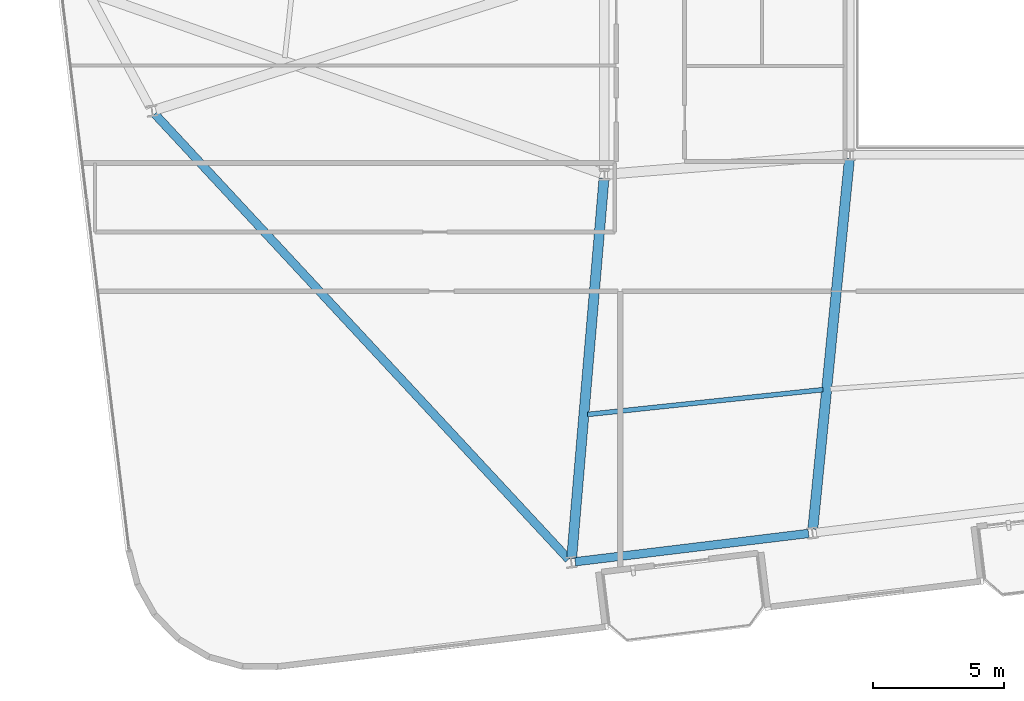
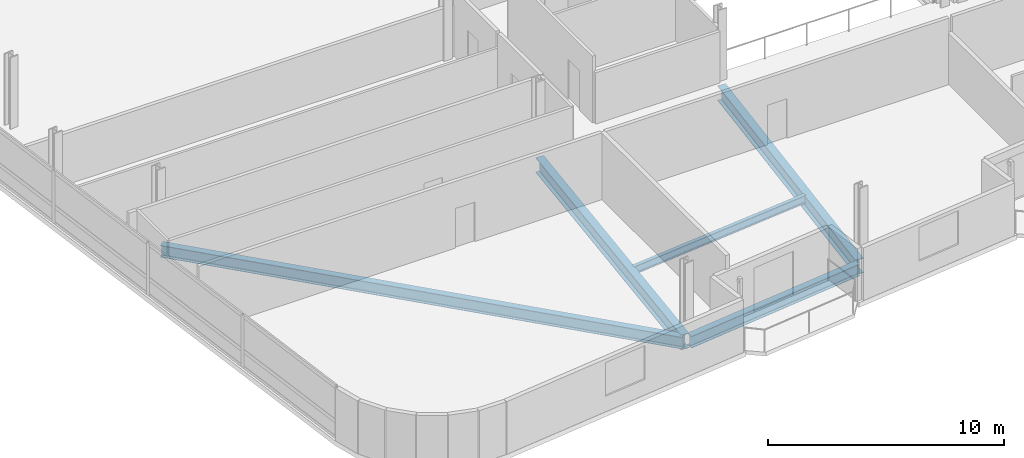
# One storey, part 3 of 22: 5 beams.
"""IFC4 building model written with IfcOpenShell, lengths in metres."""

from ifc_helpers import new_model, si_unit, direction, frame, origin, origin_2d, place, context, subcontext, project, spatial, i_section, extrude, material, material_profile, profile_set, type_object, element, save


model = new_model("IFC4")

# Units and contexts
model_context = context("Model", 3, precision=1e-05, world=origin(), true_north=direction((0.0, 1.0)))
body_context = subcontext(model_context, "Body", "Model", "MODEL_VIEW")
ifc_project = project(units=[si_unit("LENGTHUNIT", "METRE"), si_unit("AREAUNIT", "SQUARE_METRE"), si_unit("VOLUMEUNIT", "CUBIC_METRE"), si_unit("PLANEANGLEUNIT", "RADIAN"), si_unit("MASSUNIT", "GRAM", prefix="KILO")], contexts=[model_context])

# Site, building, storey
site_placement = place(None, origin())
site = spatial("IfcSite", under=ifc_project, at=site_placement, CompositionType="ELEMENT")
building_placement = place(site_placement, origin())
building = spatial("IfcBuilding", under=site, at=building_placement, Name="Varnelok Gate Tower", CompositionType="ELEMENT")
storey_placement = place(building_placement, frame((0.0, 0.0, 178.300048828125)))
storey = spatial("IfcBuildingStorey", under=building, at=storey_placement, Name="L45", CompositionType="ELEMENT", Elevation=178.300048828125)

# Beams
ifc_material = material(Name="Structural Steel ASTM A992 Grade 50", Category="steel")
ifc_material_profile_1 = material_profile(ifc_material, i_section(OverallWidth=0.180908203125, OverallDepth=0.4169921875, WebThickness=0.010986328125, FlangeThickness=0.018310546875, FilletRadius=0.013916015625, at=origin_2d()), Name="W16X57")
ifc_profile_set_1 = profile_set([ifc_material_profile_1], Name="Structural Steel ASTM A992 Grade 50")
beam_type_1 = type_object("IfcBeamType", Name="BM-JST-W16X57", PredefinedType="JOIST", material=ifc_profile_set_1)
beam_1_placement = place(storey_placement, frame((23.759765625, 9.6591796875, -0.45849609375), z_axis=(0.994484366942, 0.104884907915, 0.0), x_axis=(-0.104884907915, 0.994484366942, 0.0)))
element("IfcBeam", 1, at=beam_1_placement, inside=storey, type_object=beam_type_1, Name="L45 Sector Floor Joist 1", PredefinedType="JOIST", context=body_context, shape_type="SweptSolid", body=[
    extrude(i_section(OverallWidth=0.180908203125, OverallDepth=0.4169921875, WebThickness=0.010986328125, FlangeThickness=0.018310546875, FilletRadius=0.013916015625, at=origin_2d()), origin(), (0.0, 0.0, 1.0), 9.017578125),
])
ifc_material_profile_2 = material_profile(ifc_material, i_section(OverallWidth=0.381103515625, OverallDepth=0.77294921875, WebThickness=0.0166015625, FlangeThickness=0.027099609375, FilletRadius=0.02197265625, at=origin_2d()), Name="W30X173")
ifc_profile_set_2 = profile_set([ifc_material_profile_2], Name="Structural Steel ASTM A992 Grade 50")
beam_type_2 = type_object("IfcBeamType", Name="BM-PRI-W30X173", PredefinedType="BEAM", material=ifc_profile_set_2)
beam_2_placement = place(storey_placement, frame((24.38720703125, 18.650390625, -0.636474609375), z_axis=(-0.08482646823, -0.996395739798, 0.0), x_axis=(0.996395739798, -0.08482646823, 0.0)))
element("IfcBeam", 2, at=beam_2_placement, inside=storey, type_object=beam_type_2, Name="L45 Radial Floor Girder 1", PredefinedType="BEAM", context=body_context, shape_type="SweptSolid", body=[
    extrude(i_section(OverallWidth=0.381103515625, OverallDepth=0.77294921875, WebThickness=0.0166015625, FlangeThickness=0.027099609375, FilletRadius=0.02197265625, at=origin_2d()), origin(), (0.0, 0.0, 1.0), 14.52001953125),
])
beam_3_placement = place(storey_placement, frame((33.735107421875, 19.400634765625, -0.636474609375), z_axis=(-0.098420734253, -0.995144893505, 0.0), x_axis=(0.995144893505, -0.098420734253, 0.0)))
element("IfcBeam", 3, at=beam_3_placement, inside=storey, type_object=beam_type_2, Name="L45 Radial Floor Girder 2", PredefinedType="BEAM", context=body_context, shape_type="SweptSolid", body=[
    extrude(i_section(OverallWidth=0.381103515625, OverallDepth=0.77294921875, WebThickness=0.0166015625, FlangeThickness=0.027099609375, FilletRadius=0.02197265625, at=origin_2d()), origin(), (0.0, 0.0, 1.0), 14.174072265625),
])
ifc_material_profile_3 = material_profile(ifc_material, i_section(OverallWidth=0.323974609375, OverallDepth=0.611083984375, WebThickness=0.0126953125, FlangeThickness=0.01904296875, FilletRadius=0.01806640625, at=origin_2d()), Name="W24X104")
ifc_profile_set_3 = profile_set([ifc_material_profile_3], Name="Structural Steel ASTM A992 Grade 50")
beam_type_3 = type_object("IfcBeamType", Name="BM-SPN-W24X104", PredefinedType="SPANDREL", material=ifc_profile_set_3)
beam_4_placement = place(storey_placement, frame((23.29150390625, 4.051025390625, -0.5556640625), z_axis=(0.99273141198, 0.120350918849, 0.0), x_axis=(-0.120350918849, 0.99273141198, 0.0)))
element("IfcBeam", 4, at=beam_4_placement, inside=storey, type_object=beam_type_3, Name="L45 Perimeter Spandrel Beam 1", PredefinedType="SPANDREL", context=body_context, shape_type="SweptSolid", body=[
    extrude(i_section(OverallWidth=0.323974609375, OverallDepth=0.611083984375, WebThickness=0.0126953125, FlangeThickness=0.01904296875, FilletRadius=0.01806640625, at=origin_2d()), origin(), (0.0, 0.0, 1.0), 8.949951171875),
])
beam_5_placement = place(storey_placement, frame((7.27685546875, 21.106201171875, -0.5556640625), z_axis=(0.680728456616, -0.732535847828, 0.0), x_axis=(0.732535847828, 0.680728456616, 0.0)))
element("IfcBeam", 5, at=beam_5_placement, inside=storey, type_object=beam_type_3, Name="L45 Perimeter Spandrel Beam 16", PredefinedType="SPANDREL", context=body_context, shape_type="SweptSolid", body=[
    extrude(i_section(OverallWidth=0.323974609375, OverallDepth=0.611083984375, WebThickness=0.0126953125, FlangeThickness=0.01904296875, FilletRadius=0.01806640625, at=origin_2d()), origin(), (0.0, 0.0, 1.0), 23.156982421875),
])

save(model, "model.ifc")
